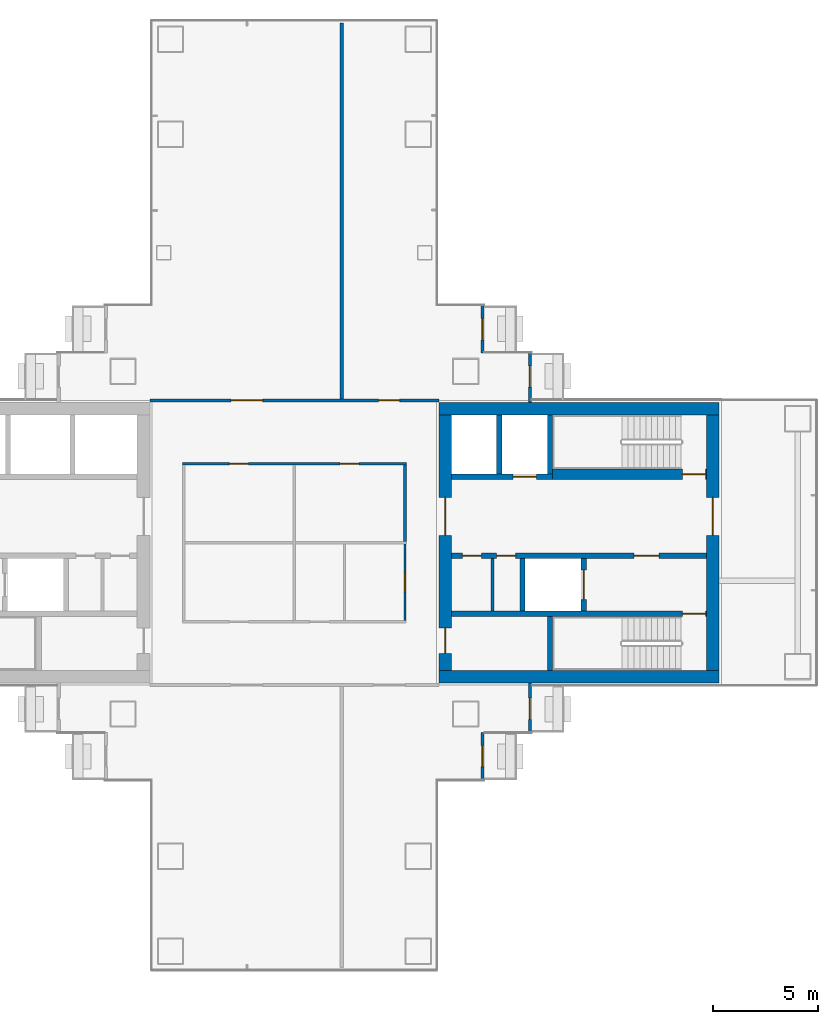
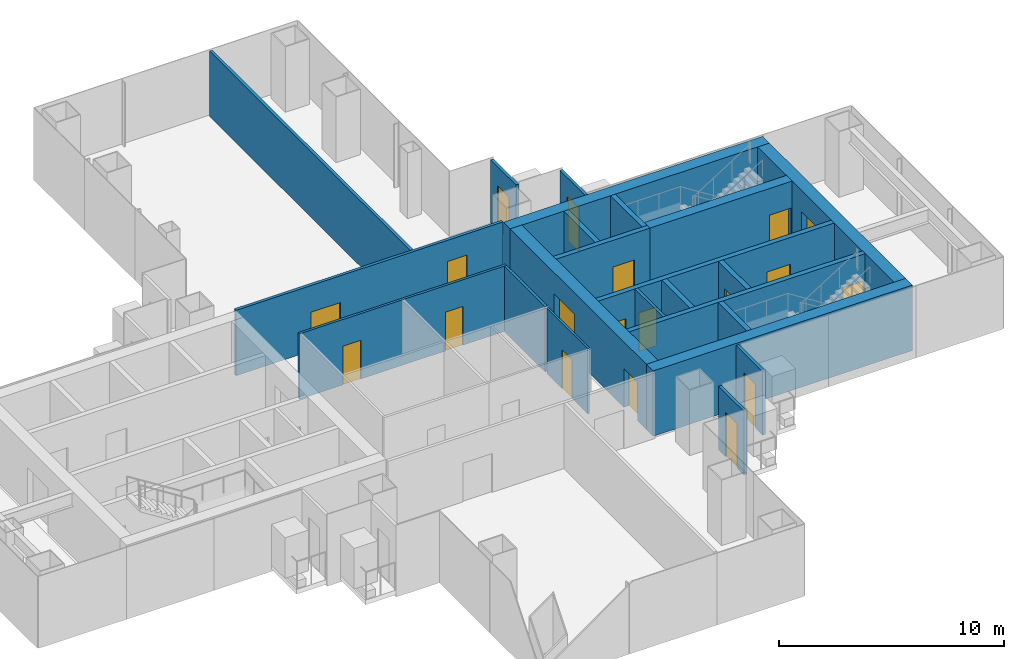
# One storey, part 14 of 19: 23 walls, 19 doors, 19 openings.
"""IFC4 building model written with IfcOpenShell, lengths in metres."""

from ifc_helpers import new_model, si_unit, direction, frame, frame_2d, origin, place, context, subcontext, project, spatial, rectangle, extrude, material, layer, layer_set, type_object, element, fill, save


model = new_model("IFC4")

# Units and contexts
model_context = context("Model", 3, precision=1e-05, world=origin(), true_north=direction((0.0, 1.0)))
body_context = subcontext(model_context, "Body", "Model", "MODEL_VIEW")
ifc_project = project(units=[si_unit("LENGTHUNIT", "METRE"), si_unit("AREAUNIT", "SQUARE_METRE"), si_unit("VOLUMEUNIT", "CUBIC_METRE"), si_unit("PLANEANGLEUNIT", "RADIAN"), si_unit("MASSUNIT", "GRAM", prefix="KILO")], contexts=[model_context])

# Site, building, storey
site_placement = place(None, origin())
site = spatial("IfcSite", under=ifc_project, at=site_placement, CompositionType="ELEMENT")
building_placement = place(site_placement, origin())
building = spatial("IfcBuilding", under=site, at=building_placement, Name="Shamsa Quay Exchange Towers", CompositionType="ELEMENT")
storey_placement = place(building_placement, frame((0.0, 0.0, 89.699951171875)))
storey = spatial("IfcBuildingStorey", under=building, at=storey_placement, Name="L20", CompositionType="ELEMENT", Elevation=89.699951171875)

# Wall, opening, door
ifc_material_1 = material(Name="Aluminium EN AW-6063 T6, black anodised, with black enamelled glass infill", Category="aluminium")
ifc_layer_1 = layer(ifc_material_1, 0.14990234375)
ifc_layer_set_1 = layer_set([ifc_layer_1], Name="BALCONY DOOR BAY WALL 150")
wall_type_1 = type_object("IfcWallType", Name="BALCONY DOOR BAY WALL 150", PredefinedType="SOLIDWALL", material=ifc_layer_set_1)
wall_1_placement = place(storey_placement, frame((42.675048828125, 11.25, 0.0), z_axis=(0.0, 0.0, 1.0), x_axis=(0.0, -1.0, 0.0)))
wall_1 = element("IfcWall", 1, at=wall_1_placement, inside=storey, type_object=wall_type_1, Name="Door bay T2-PKES L20", PredefinedType="SOLIDWALL", context=body_context, shape_type="SweptSolid", body=[
    extrude(rectangle(XDim=2.25, YDim=0.14990234375, at=frame_2d((1.125, 0.0))), origin(), (0.0, 0.0, 1.0), 3.449951171875),
])
opening_1_placement = place(wall_1_placement, frame((0.625, 0.0, 0.0)))
opening_1 = element("IfcOpeningElement", 2, at=opening_1_placement, cuts=wall_1, Name="Opening XD123", PredefinedType="OPENING", context=body_context, shape_type="SweptSolid", body=[
    extrude(rectangle(XDim=1.0, YDim=2.39990234375, at=frame_2d((0.5, 1.199951171875))), frame((0.0, 0.0849609375, 0.0), z_axis=(0.0, -1.0, 0.0), x_axis=(1.0, 0.0, 0.0)), (0.0, 0.0, 1.0), 0.169921875),
])
ifc_material_2 = material(Name="Aluminium EN AW-6063 T6, black anodised, with laminated glass leaf", Category="aluminium")
door_type_1 = type_object("IfcDoorType", Name="BALCONY DOOR 1000x2400", OperationType="SINGLE_SWING_LEFT", PredefinedType="DOOR", material=ifc_material_2)
door_1_placement = place(opening_1_placement, origin())
door_1 = element("IfcDoor", 3, at=door_1_placement, inside=storey, type_object=door_type_1, Name="Balcony door T2-PKES L20", OperationType="SINGLE_SWING_RIGHT", OverallHeight=2.39990234375, OverallWidth=1.0, PredefinedType="DOOR", context=body_context, shape_type="SweptSolid", body=[
    extrude(rectangle(XDim=1.0, YDim=2.39990234375, at=frame_2d((0.5, 1.199951171875))), frame((0.0, 0.02490234375, 0.0), z_axis=(0.0, -1.0, 0.0), x_axis=(1.0, 0.0, 0.0)), (0.0, 0.0, 1.0), 0.050048828125),
])
fill(opening_1, door_1)

wall_2_placement = place(storey_placement, frame((44.925048828125, 9.0, 0.0), z_axis=(0.0, 0.0, 1.0), x_axis=(0.0, -1.0, 0.0)))
wall_2 = element("IfcWall", 4, at=wall_2_placement, inside=storey, type_object=wall_type_1, Name="Door bay T2-PKES L20", PredefinedType="SOLIDWALL", context=body_context, shape_type="SweptSolid", body=[
    extrude(rectangle(XDim=2.35693359375, YDim=0.14990234375, at=frame_2d((1.178466796875, 0.0))), origin(), (0.0, 0.0, 1.0), 3.449951171875),
])
opening_2_placement = place(wall_2_placement, frame((0.625, 0.0, 0.0)))
opening_2 = element("IfcOpeningElement", 5, at=opening_2_placement, cuts=wall_2, Name="Opening XD124", PredefinedType="OPENING", context=body_context, shape_type="SweptSolid", body=[
    extrude(rectangle(XDim=1.0, YDim=2.39990234375, at=frame_2d((0.5, 1.199951171875))), frame((0.0, 0.0849609375, 0.0), z_axis=(0.0, -1.0, 0.0), x_axis=(1.0, 0.0, 0.0)), (0.0, 0.0, 1.0), 0.169921875),
])
door_2_placement = place(opening_2_placement, origin())
door_2 = element("IfcDoor", 6, at=door_2_placement, inside=storey, type_object=door_type_1, Name="Balcony door T2-PKES L20", OperationType="SINGLE_SWING_LEFT", OverallHeight=2.39990234375, OverallWidth=1.0, PredefinedType="DOOR", context=body_context, shape_type="SweptSolid", body=[
    extrude(rectangle(XDim=1.0, YDim=2.39990234375, at=frame_2d((0.5, 1.199951171875))), frame((0.0, 0.02490234375, 0.0), z_axis=(0.0, -1.0, 0.0), x_axis=(1.0, 0.0, 0.0)), (0.0, 0.0, 1.0), 0.050048828125),
])
fill(opening_2, door_2)

wall_3_placement = place(storey_placement, frame((42.675048828125, -9.0, 0.0), z_axis=(0.0, 0.0, 1.0), x_axis=(0.0, -1.0, 0.0)))
wall_3 = element("IfcWall", 7, at=wall_3_placement, inside=storey, type_object=wall_type_1, Name="Door bay T2-PKWS L20", PredefinedType="SOLIDWALL", context=body_context, shape_type="SweptSolid", body=[
    extrude(rectangle(XDim=2.25, YDim=0.14990234375, at=frame_2d((1.125, 0.0))), origin(), (0.0, 0.0, 1.0), 3.449951171875),
])
opening_3_placement = place(wall_3_placement, frame((0.625, 0.0, 0.0)))
opening_3 = element("IfcOpeningElement", 8, at=opening_3_placement, cuts=wall_3, Name="Opening XD127", PredefinedType="OPENING", context=body_context, shape_type="SweptSolid", body=[
    extrude(rectangle(XDim=1.0, YDim=2.39990234375, at=frame_2d((0.5, 1.199951171875))), frame((0.0, 0.0849609375, 0.0), z_axis=(0.0, -1.0, 0.0), x_axis=(1.0, 0.0, 0.0)), (0.0, 0.0, 1.0), 0.169921875),
])
door_3_placement = place(opening_3_placement, origin())
door_3 = element("IfcDoor", 9, at=door_3_placement, inside=storey, type_object=door_type_1, Name="Balcony door T2-PKWS L20", OperationType="SINGLE_SWING_LEFT", OverallHeight=2.39990234375, OverallWidth=1.0, PredefinedType="DOOR", context=body_context, shape_type="SweptSolid", body=[
    extrude(rectangle(XDim=1.0, YDim=2.39990234375, at=frame_2d((0.5, 1.199951171875))), frame((0.0, 0.02490234375, 0.0), z_axis=(0.0, -1.0, 0.0), x_axis=(1.0, 0.0, 0.0)), (0.0, 0.0, 1.0), 0.050048828125),
])
fill(opening_3, door_3)

wall_4_placement = place(storey_placement, frame((44.925048828125, -6.64306640625, 0.0), z_axis=(0.0, 0.0, 1.0), x_axis=(0.0, -1.0, 0.0)))
wall_4 = element("IfcWall", 10, at=wall_4_placement, inside=storey, type_object=wall_type_1, Name="Door bay T2-PKWS L20", PredefinedType="SOLIDWALL", context=body_context, shape_type="SweptSolid", body=[
    extrude(rectangle(XDim=2.35693359375, YDim=0.14990234375, at=frame_2d((1.178466796875, 0.0))), origin(), (0.0, 0.0, 1.0), 3.449951171875),
])
opening_4_placement = place(wall_4_placement, frame((0.73193359375, 0.0, 0.0)))
opening_4 = element("IfcOpeningElement", 11, at=opening_4_placement, cuts=wall_4, Name="Opening XD128", PredefinedType="OPENING", context=body_context, shape_type="SweptSolid", body=[
    extrude(rectangle(XDim=1.0, YDim=2.39990234375, at=frame_2d((0.5, 1.199951171875))), frame((0.0, 0.0849609375, 0.0), z_axis=(0.0, -1.0, 0.0), x_axis=(1.0, 0.0, 0.0)), (0.0, 0.0, 1.0), 0.169921875),
])
door_4_placement = place(opening_4_placement, origin())
door_4 = element("IfcDoor", 12, at=door_4_placement, inside=storey, type_object=door_type_1, Name="Balcony door T2-PKWS L20", OperationType="SINGLE_SWING_RIGHT", OverallHeight=2.39990234375, OverallWidth=1.0, PredefinedType="DOOR", context=body_context, shape_type="SweptSolid", body=[
    extrude(rectangle(XDim=1.0, YDim=2.39990234375, at=frame_2d((0.5, 1.199951171875))), frame((0.0, 0.02490234375, 0.0), z_axis=(0.0, -1.0, 0.0), x_axis=(1.0, 0.0, 0.0)), (0.0, 0.0, 1.0), 0.050048828125),
])
fill(opening_4, door_4)

# Walls
ifc_material_3 = material(Name="Concrete C70/85", Category="concrete")
ifc_layer_2 = layer(ifc_material_3, 0.60009765625)
ifc_layer_set_2 = layer_set([ifc_layer_2], Name="CORE WALL 600 C70/85")
wall_type_2 = type_object("IfcWallType", Name="CORE WALL 600 C70/85", PredefinedType="SHEAR", material=ifc_layer_set_2)
for number, where, z_axis, x_axis, name in (
    (13, (53.89990234375, -6.35009765625, 0.0), (0.0, 0.0, 1.0), (-1.0, 0.0, 0.0), "Core wall T2B-R09-PS"),
    (14, (53.89990234375, 6.35009765625, 0.0), (0.0, 0.0, 1.0), (-1.0, 0.0, 0.0), "Core wall T2B-R09-PN"),
):
    element("IfcWall", number, at=place(storey_placement, frame(where, z_axis=z_axis, x_axis=x_axis)), inside=storey, type_object=wall_type_2, Name=name, PredefinedType="SHEAR", context=body_context, shape_type="SweptSolid", body=[
        extrude(rectangle(XDim=13.2998046875, YDim=0.60009765625, at=frame_2d((6.64990234375, 0.0))), origin(), (0.0, 0.0, 1.0), 3.550048828125),
    ])

# Wall, opening, door
wall_5_placement = place(storey_placement, frame((53.60009765625, -6.050048828125, 0.0), z_axis=(0.0, 0.0, 1.0), x_axis=(0.0, 1.0, 0.0)))
wall_5 = element("IfcWall", 15, at=wall_5_placement, inside=storey, type_object=wall_type_2, Name="Core wall T2B-R09-PF", PredefinedType="SHEAR", context=body_context, shape_type="SweptSolid", body=[
    extrude(rectangle(XDim=12.10009765625, YDim=0.60009765625, at=frame_2d((6.050048828125, 0.0))), origin(), (0.0, 0.0, 1.0), 3.550048828125),
])
opening_5_placement = place(wall_5_placement, frame((6.39990234375, 0.0, 0.0)))
opening_5 = element("IfcOpeningElement", 16, at=opening_5_placement, cuts=wall_5, Name="Opening T2B-R09-LBD01", PredefinedType="OPENING", context=body_context, shape_type="SweptSolid", body=[
    extrude(rectangle(XDim=1.800048828125, YDim=2.39990234375, at=frame_2d((0.89990234375, 1.199951171875))), frame((0.0, 0.31005859375, 0.0), z_axis=(0.0, -1.0, 0.0), x_axis=(1.0, 0.0, 0.0)), (0.0, 0.0, 1.0), 0.6201171875),
])
ifc_material_4 = material(Name="Steel, fire rated", Category="steel")
door_type_2 = type_object("IfcDoorType", Name="LIFT LOBBY DOOR PAIR 1800", OperationType="DOUBLE_DOOR_SINGLE_SWING", PredefinedType="DOOR", material=ifc_material_4)
door_5_placement = place(opening_5_placement, origin())
door_5 = element("IfcDoor", 17, at=door_5_placement, inside=storey, type_object=door_type_2, Name="T2B-R09-LBD01", OperationType="DOUBLE_DOOR_SINGLE_SWING", OverallHeight=2.39990234375, OverallWidth=1.800048828125, PredefinedType="DOOR", context=body_context, shape_type="SweptSolid", body=[
    extrude(rectangle(XDim=1.800048828125, YDim=2.39990234375, at=frame_2d((0.89990234375, 1.199951171875))), frame((0.0, 0.02490234375, 0.0), z_axis=(0.0, -1.0, 0.0), x_axis=(1.0, 0.0, 0.0)), (0.0, 0.0, 1.0), 0.050048828125),
])
fill(opening_5, door_5)

# Wall, openings, doors
wall_6_placement = place(storey_placement, frame((40.89990234375, -6.050048828125, 0.0), z_axis=(0.0, 0.0, 1.0), x_axis=(0.0, 1.0, 0.0)))
wall_6 = element("IfcWall", 18, at=wall_6_placement, inside=storey, type_object=wall_type_2, Name="Core wall T2B-R09-PB", PredefinedType="SHEAR", context=body_context, shape_type="SweptSolid", body=[
    extrude(rectangle(XDim=12.10009765625, YDim=0.60009765625, at=frame_2d((6.050048828125, 0.0))), origin(), (0.0, 0.0, 1.0), 3.550048828125),
])
opening_6_placement = place(wall_6_placement, frame((0.800048828125, 0.0, 0.0)))
opening_6 = element("IfcOpeningElement", 19, at=opening_6_placement, cuts=wall_6, Name="Opening T2B-R09-RD02", PredefinedType="OPENING", context=body_context, shape_type="SweptSolid", body=[
    extrude(rectangle(XDim=1.199951171875, YDim=2.10009765625, at=frame_2d((0.60009765625, 1.050048828125))), frame((0.0, 0.31005859375, 0.0), z_axis=(0.0, -1.0, 0.0), x_axis=(1.0, 0.0, 0.0)), (0.0, 0.0, 1.0), 0.6201171875),
])
opening_7_placement = place(wall_6_placement, frame((6.39990234375, 0.0, 0.0)))
opening_7 = element("IfcOpeningElement", 20, at=opening_7_placement, cuts=wall_6, Name="Opening T2B-R09-LBD03", PredefinedType="OPENING", context=body_context, shape_type="SweptSolid", body=[
    extrude(rectangle(XDim=1.800048828125, YDim=2.39990234375, at=frame_2d((0.89990234375, 1.199951171875))), frame((0.0, 0.31005859375, 0.0), z_axis=(0.0, -1.0, 0.0), x_axis=(1.0, 0.0, 0.0)), (0.0, 0.0, 1.0), 0.6201171875),
])
door_6_placement = place(opening_7_placement, origin())
door_6 = element("IfcDoor", 21, at=door_6_placement, inside=storey, type_object=door_type_2, Name="T2B-R09-LBD03", OperationType="DOUBLE_DOOR_SINGLE_SWING", OverallHeight=2.39990234375, OverallWidth=1.800048828125, PredefinedType="DOOR", context=body_context, shape_type="SweptSolid", body=[
    extrude(rectangle(XDim=1.800048828125, YDim=2.39990234375, at=frame_2d((0.89990234375, 1.199951171875))), frame((0.0, 0.02490234375, 0.0), z_axis=(0.0, -1.0, 0.0), x_axis=(1.0, 0.0, 0.0)), (0.0, 0.0, 1.0), 0.050048828125),
])
fill(opening_7, door_6)
door_type_3 = type_object("IfcDoorType", Name="RISER ACCESS DOOR 1200", OperationType="SINGLE_SWING_LEFT", PredefinedType="DOOR", material=ifc_material_4)
door_7_placement = place(opening_6_placement, origin())
door_7 = element("IfcDoor", 22, at=door_7_placement, inside=storey, type_object=door_type_3, Name="T2B-R09-RD02", OperationType="SINGLE_SWING_LEFT", OverallHeight=2.10009765625, OverallWidth=1.199951171875, PredefinedType="DOOR", context=body_context, shape_type="SweptSolid", body=[
    extrude(rectangle(XDim=1.199951171875, YDim=2.10009765625, at=frame_2d((0.60009765625, 1.050048828125))), frame((0.0, 0.02490234375, 0.0), z_axis=(0.0, -1.0, 0.0), x_axis=(1.0, 0.0, 0.0)), (0.0, 0.0, 1.0), 0.050048828125),
])
fill(opening_6, door_7)

# Wall
ifc_material_5 = material(Name="Gypsum board on steel studs, EI 60", Category="steel")
ifc_layer_3 = layer(ifc_material_5, 0.14990234375)
ifc_layer_set_3 = layer_set([ifc_layer_3], Name="FIRE PARTITION 150")
wall_type_3 = type_object("IfcWallType", Name="FIRE PARTITION 150", PredefinedType="PARTITIONING", material=ifc_layer_set_3)
wall_7_placement = place(storey_placement, frame((43.14990234375, -3.25, 0.0), z_axis=(0.0, 0.0, 1.0), x_axis=(0.0, 1.0, 0.0)))
element("IfcWall", 23, at=wall_7_placement, inside=storey, type_object=wall_type_3, Name="Partition T2B-R09-EC0", PredefinedType="PARTITIONING", context=body_context, shape_type="SweptSolid", body=[
    extrude(rectangle(XDim=2.5, YDim=0.14990234375, at=frame_2d((1.25, 0.0))), origin(), (0.0, 0.0, 1.0), 3.550048828125),
])

# Wall, openings, doors
ifc_material_6 = material(Name="Laminated fire-resisting glass in a metal frame", Category="glass")
ifc_layer_4 = layer(ifc_material_6, 0.125)
ifc_layer_set_4 = layer_set([ifc_layer_4], Name="Glazed partition 125 mm EI 60")
wall_type_4 = type_object("IfcWallType", Name="Glazed partition 125 mm EI 60", PredefinedType="PARTITIONING", material=ifc_layer_set_4)
wall_8_placement = place(storey_placement, frame((39.0625, 3.75, 0.0), z_axis=(0.0, 0.0, 1.0), x_axis=(-1.0, 0.0, 0.0)))
wall_8 = element("IfcWall", 24, at=wall_8_placement, inside=storey, type_object=wall_type_4, Name="Partition T2-R09-W02", PredefinedType="PARTITIONING", context=body_context, shape_type="SweptSolid", body=[
    extrude(rectangle(XDim=10.625, YDim=0.125, at=frame_2d((5.3125, 0.0))), origin(), (0.0, 0.0, 1.0), 3.550048828125),
])
opening_8_placement = place(wall_8_placement, frame((7.487548828125, 0.0, 0.0)))
opening_8 = element("IfcOpeningElement", 25, at=opening_8_placement, cuts=wall_8, Name="Opening T2-R09-D06", PredefinedType="OPENING", context=body_context, shape_type="SweptSolid", body=[
    extrude(rectangle(XDim=0.89990234375, YDim=2.10009765625, at=frame_2d((0.449951171875, 1.050048828125))), frame((0.0, 0.072509765625, 0.0), z_axis=(0.0, -1.0, 0.0), x_axis=(1.0, 0.0, 0.0)), (0.0, 0.0, 1.0), 0.14501953125),
])
opening_9_placement = place(wall_8_placement, frame((2.237548828125, 0.0, 0.0)))
opening_9 = element("IfcOpeningElement", 26, at=opening_9_placement, cuts=wall_8, Name="Opening T2-R09-D07", PredefinedType="OPENING", context=body_context, shape_type="SweptSolid", body=[
    extrude(rectangle(XDim=0.89990234375, YDim=2.10009765625, at=frame_2d((0.449951171875, 1.050048828125))), frame((0.0, 0.072509765625, 0.0), z_axis=(0.0, -1.0, 0.0), x_axis=(1.0, 0.0, 0.0)), (0.0, 0.0, 1.0), 0.14501953125),
])
ifc_material_7 = material(Name="Timber door leaf in a metal frame", Category="wood")
door_type_4 = type_object("IfcDoorType", Name="Door 900x2100 FD30S", OperationType="NOTDEFINED", PredefinedType="DOOR", material=ifc_material_7)
door_8_placement = place(opening_8_placement, origin())
door_8 = element("IfcDoor", 27, at=door_8_placement, inside=storey, type_object=door_type_4, Name="Door T2-R09-D06", OperationType="SINGLE_SWING_LEFT", OverallHeight=2.10009765625, OverallWidth=0.89990234375, PredefinedType="DOOR", context=body_context, shape_type="SweptSolid", body=[
    extrude(rectangle(XDim=0.89990234375, YDim=2.10009765625, at=frame_2d((0.449951171875, 1.050048828125))), frame((0.0, 0.02490234375, 0.0), z_axis=(0.0, -1.0, 0.0), x_axis=(1.0, 0.0, 0.0)), (0.0, 0.0, 1.0), 0.050048828125),
])
fill(opening_8, door_8)
door_9_placement = place(opening_9_placement, origin())
door_9 = element("IfcDoor", 28, at=door_9_placement, inside=storey, type_object=door_type_4, Name="Door T2-R09-D07", OperationType="SINGLE_SWING_RIGHT", OverallHeight=2.10009765625, OverallWidth=0.89990234375, PredefinedType="DOOR", context=body_context, shape_type="SweptSolid", body=[
    extrude(rectangle(XDim=0.89990234375, YDim=2.10009765625, at=frame_2d((0.449951171875, 1.050048828125))), frame((0.0, 0.02490234375, 0.0), z_axis=(0.0, -1.0, 0.0), x_axis=(1.0, 0.0, 0.0)), (0.0, 0.0, 1.0), 0.050048828125),
])
fill(opening_9, door_9)

# Wall
wall_9_placement = place(storey_placement, frame((39.0, 0.0625, 0.0), z_axis=(0.0, 0.0, 1.0), x_axis=(0.0, 1.0, 0.0)))
element("IfcWall", 29, at=wall_9_placement, inside=storey, type_object=wall_type_4, Name="Partition T2-R09-W04", PredefinedType="PARTITIONING", context=body_context, shape_type="SweptSolid", body=[
    extrude(rectangle(XDim=3.625, YDim=0.125, at=frame_2d((1.8125, 0.0))), origin(), (0.0, 0.0, 1.0), 3.550048828125),
])

# Wall, opening, door
ifc_material_8 = material(Name="Gypsum board partition on metal studs")
ifc_layer_5 = layer(ifc_material_8, 0.10009765625)
ifc_layer_set_5 = layer_set([ifc_layer_5], Name="Partition 100 mm NOT RATED")
wall_type_5 = type_object("IfcWallType", Name="Partition 100 mm NOT RATED", PredefinedType="PARTITIONING", material=ifc_layer_set_5)
wall_10_placement = place(storey_placement, frame((39.0, -3.699951171875, 0.0), z_axis=(0.0, 0.0, 1.0), x_axis=(0.0, 1.0, 0.0)))
wall_10 = element("IfcWall", 30, at=wall_10_placement, inside=storey, type_object=wall_type_5, Name="Partition T2-R09-W05", PredefinedType="PARTITIONING", context=body_context, shape_type="SweptSolid", body=[
    extrude(rectangle(XDim=3.637451171875, YDim=0.10009765625, at=frame_2d((1.81884765625, 0.0))), origin(), (0.0, 0.0, 1.0), 3.550048828125),
])
opening_10_placement = place(wall_10_placement, frame((1.375, 0.0, 0.0)))
opening_10 = element("IfcOpeningElement", 31, at=opening_10_placement, cuts=wall_10, Name="Opening T2-R09-D04", PredefinedType="OPENING", context=body_context, shape_type="SweptSolid", body=[
    extrude(rectangle(XDim=0.89990234375, YDim=2.10009765625, at=frame_2d((0.449951171875, 1.050048828125))), frame((0.0, 0.06005859375, 0.0), z_axis=(0.0, -1.0, 0.0), x_axis=(1.0, 0.0, 0.0)), (0.0, 0.0, 1.0), 0.1201171875),
])
door_type_5 = type_object("IfcDoorType", Name="Door 900x2100 NOT RATED", OperationType="NOTDEFINED", PredefinedType="DOOR", material=ifc_material_7)
door_10_placement = place(opening_10_placement, origin())
door_10 = element("IfcDoor", 32, at=door_10_placement, inside=storey, type_object=door_type_5, Name="Door T2-R09-D04", OperationType="SINGLE_SWING_RIGHT", OverallHeight=2.10009765625, OverallWidth=0.89990234375, PredefinedType="DOOR", context=body_context, shape_type="SweptSolid", body=[
    extrude(rectangle(XDim=0.89990234375, YDim=2.10009765625, at=frame_2d((0.449951171875, 1.050048828125))), frame((0.0, 0.02490234375, 0.0), z_axis=(0.0, -1.0, 0.0), x_axis=(1.0, 0.0, 0.0)), (0.0, 0.0, 1.0), 0.050048828125),
])
fill(opening_10, door_10)

# Wall, openings, doors
ifc_layer_6 = layer(ifc_material_8, 0.14990234375)
ifc_layer_set_6 = layer_set([ifc_layer_6], Name="Partition 150 mm EI 60")
wall_type_6 = type_object("IfcWallType", Name="Partition 150 mm EI 60", PredefinedType="PARTITIONING", material=ifc_layer_set_6)
wall_11_placement = place(storey_placement, frame((26.89990234375, 6.75, 0.0)))
wall_11 = element("IfcWall", 33, at=wall_11_placement, inside=storey, type_object=wall_type_6, Name="Partition T2-R09-W07", PredefinedType="PARTITIONING", context=body_context, shape_type="SweptSolid", body=[
    extrude(rectangle(XDim=13.7001953125, YDim=0.14990234375, at=frame_2d((6.85009765625, 0.0))), origin(), (0.0, 0.0, 1.0), 3.550048828125),
])
opening_11_placement = place(wall_11_placement, frame((10.85009765625, 0.0, 0.0)))
opening_11 = element("IfcOpeningElement", 34, at=opening_11_placement, cuts=wall_11, Name="Opening T2-R09-D01", PredefinedType="OPENING", context=body_context, shape_type="SweptSolid", body=[
    extrude(rectangle(XDim=1.0, YDim=2.39990234375, at=frame_2d((0.5, 1.199951171875))), frame((0.0, 0.0849609375, 0.0), z_axis=(0.0, -1.0, 0.0), x_axis=(1.0, 0.0, 0.0)), (0.0, 0.0, 1.0), 0.169921875),
])
opening_12_placement = place(wall_11_placement, frame((3.85009765625, 0.0, 0.0)))
opening_12 = element("IfcOpeningElement", 35, at=opening_12_placement, cuts=wall_11, Name="Opening T2-R09-D02", PredefinedType="OPENING", context=body_context, shape_type="SweptSolid", body=[
    extrude(rectangle(XDim=1.5, YDim=2.10009765625, at=frame_2d((0.75, 1.050048828125))), frame((0.0, 0.0849609375, 0.0), z_axis=(0.0, -1.0, 0.0), x_axis=(1.0, 0.0, 0.0)), (0.0, 0.0, 1.0), 0.169921875),
])
door_type_6 = type_object("IfcDoorType", Name="Door 1000x2400 FD30S", OperationType="NOTDEFINED", PredefinedType="DOOR", material=ifc_material_7)
door_11_placement = place(opening_11_placement, origin())
door_11 = element("IfcDoor", 36, at=door_11_placement, inside=storey, type_object=door_type_6, Name="Door T2-R09-D01", OperationType="SINGLE_SWING_LEFT", OverallHeight=2.39990234375, OverallWidth=1.0, PredefinedType="DOOR", context=body_context, shape_type="SweptSolid", body=[
    extrude(rectangle(XDim=1.0, YDim=2.39990234375, at=frame_2d((0.5, 1.199951171875))), frame((0.0, 0.02490234375, 0.0), z_axis=(0.0, -1.0, 0.0), x_axis=(1.0, 0.0, 0.0)), (0.0, 0.0, 1.0), 0.050048828125),
])
fill(opening_11, door_11)
door_type_7 = type_object("IfcDoorType", Name="Door 1500x2100 FD30S pair", OperationType="NOTDEFINED", PredefinedType="DOOR", material=ifc_material_7)
door_12_placement = place(opening_12_placement, origin())
door_12 = element("IfcDoor", 37, at=door_12_placement, inside=storey, type_object=door_type_7, Name="Door T2-R09-D02", OperationType="DOUBLE_DOOR_SINGLE_SWING", OverallHeight=2.10009765625, OverallWidth=1.5, PredefinedType="DOOR", context=body_context, shape_type="SweptSolid", body=[
    extrude(rectangle(XDim=1.5, YDim=2.10009765625, at=frame_2d((0.75, 1.050048828125))), frame((0.0, 0.02490234375, 0.0), z_axis=(0.0, -1.0, 0.0), x_axis=(1.0, 0.0, 0.0)), (0.0, 0.0, 1.0), 0.050048828125),
])
fill(opening_12, door_12)

# Wall
wall_12_placement = place(storey_placement, frame((36.0, 24.655029296875, 0.0), z_axis=(0.0, 0.0, 1.0), x_axis=(0.0, -1.0, 0.0)))
element("IfcWall", 38, at=wall_12_placement, inside=storey, type_object=wall_type_6, Name="Partition T2-R09-W13", PredefinedType="PARTITIONING", context=body_context, shape_type="SweptSolid", body=[
    extrude(rectangle(XDim=17.830078125, YDim=0.14990234375, at=frame_2d((8.9150390625, 0.0))), origin(), (0.0, 0.0, 1.0), 3.550048828125),
])

# Wall, opening, door
ifc_material_9 = material(Name="Concrete C50/60", Category="concrete")
ifc_layer_7 = layer(ifc_material_9, 0.25)
ifc_layer_set_7 = layer_set([ifc_layer_7], Name="SHAFT WALL 250 C50/60")
wall_type_7 = type_object("IfcWallType", Name="SHAFT WALL 250 C50/60", PredefinedType="SHEAR", material=ifc_layer_set_7)
wall_13_placement = place(storey_placement, frame((53.300048828125, -3.375, 0.0), z_axis=(0.0, 0.0, 1.0), x_axis=(-1.0, 0.0, 0.0)))
wall_13 = element("IfcWall", 39, at=wall_13_placement, inside=storey, type_object=wall_type_7, Name="Shaft wall T2B-R09-STL", PredefinedType="SHEAR", context=body_context, shape_type="SweptSolid", body=[
    extrude(rectangle(XDim=12.10009765625, YDim=0.25, at=frame_2d((6.050048828125, 0.0))), origin(), (0.0, 0.0, 1.0), 3.550048828125),
])
opening_13_placement = place(wall_13_placement, frame((0.050048828125, 0.0, 0.0)))
opening_13 = element("IfcOpeningElement", 40, at=opening_13_placement, cuts=wall_13, Name="Opening T2B-R09-SD04", PredefinedType="OPENING", context=body_context, shape_type="SweptSolid", body=[
    extrude(rectangle(XDim=1.10009765625, YDim=2.10009765625, at=frame_2d((0.550048828125, 1.050048828125))), frame((0.0, 0.135009765625, 0.0), z_axis=(0.0, -1.0, 0.0), x_axis=(1.0, 0.0, 0.0)), (0.0, 0.0, 1.0), 0.27001953125),
])
door_type_8 = type_object("IfcDoorType", Name="STAIR DOOR 1100", OperationType="SINGLE_SWING_LEFT", PredefinedType="DOOR", material=ifc_material_4)
door_13_placement = place(opening_13_placement, origin())
door_13 = element("IfcDoor", 41, at=door_13_placement, inside=storey, type_object=door_type_8, Name="T2B-R09-SD04", OperationType="SINGLE_SWING_LEFT", OverallHeight=2.10009765625, OverallWidth=1.10009765625, PredefinedType="DOOR", context=body_context, shape_type="SweptSolid", body=[
    extrude(rectangle(XDim=1.10009765625, YDim=2.10009765625, at=frame_2d((0.550048828125, 1.050048828125))), frame((0.0, 0.02490234375, 0.0), z_axis=(0.0, -1.0, 0.0), x_axis=(1.0, 0.0, 0.0)), (0.0, 0.0, 1.0), 0.050048828125),
])
fill(opening_13, door_13)

# Wall
wall_14_placement = place(storey_placement, frame((45.875, -6.050048828125, 0.0), z_axis=(0.0, 0.0, 1.0), x_axis=(0.0, 1.0, 0.0)))
element("IfcWall", 42, at=wall_14_placement, inside=storey, type_object=wall_type_7, Name="Shaft wall T2B-R09-STF", PredefinedType="SHEAR", context=body_context, shape_type="SweptSolid", body=[
    extrude(rectangle(XDim=2.550048828125, YDim=0.25, at=frame_2d((1.27490234375, 0.0))), origin(), (0.0, 0.0, 1.0), 3.550048828125),
])

# Wall, openings, doors
wall_15_placement = place(storey_placement, frame((53.300048828125, -0.625, 0.0), z_axis=(0.0, 0.0, 1.0), x_axis=(-1.0, 0.0, 0.0)))
wall_15 = element("IfcWall", 43, at=wall_15_placement, inside=storey, type_object=wall_type_7, Name="Shaft wall T2B-R09-B", PredefinedType="SHEAR", context=body_context, shape_type="SweptSolid", body=[
    extrude(rectangle(XDim=12.10009765625, YDim=0.25, at=frame_2d((6.050048828125, 0.0))), origin(), (0.0, 0.0, 1.0), 3.550048828125),
])
opening_14_placement = place(wall_15_placement, frame((2.25, 0.0, 0.0)))
opening_14 = element("IfcOpeningElement", 44, at=opening_14_placement, cuts=wall_15, Name="Opening T2B-R09-FD05", PredefinedType="OPENING", context=body_context, shape_type="SweptSolid", body=[
    extrude(rectangle(XDim=1.199951171875, YDim=2.10009765625, at=frame_2d((0.60009765625, 1.050048828125))), frame((0.0, 0.135009765625, 0.0), z_axis=(0.0, -1.0, 0.0), x_axis=(1.0, 0.0, 0.0)), (0.0, 0.0, 1.0), 0.27001953125),
])
opening_15_placement = place(wall_15_placement, frame((9.050048828125, 0.0, 0.0)))
opening_15 = element("IfcOpeningElement", 45, at=opening_15_placement, cuts=wall_15, Name="Opening T2B-R09-SV06", PredefinedType="OPENING", context=body_context, shape_type="SweptSolid", body=[
    extrude(rectangle(XDim=0.89990234375, YDim=2.10009765625, at=frame_2d((0.449951171875, 1.050048828125))), frame((0.0, 0.135009765625, 0.0), z_axis=(0.0, -1.0, 0.0), x_axis=(1.0, 0.0, 0.0)), (0.0, 0.0, 1.0), 0.27001953125),
])
opening_16_placement = place(wall_15_placement, frame((10.675048828125, 0.0, 0.0)))
opening_16 = element("IfcOpeningElement", 46, at=opening_16_placement, cuts=wall_15, Name="Opening T2B-R09-SV07", PredefinedType="OPENING", context=body_context, shape_type="SweptSolid", body=[
    extrude(rectangle(XDim=0.89990234375, YDim=2.10009765625, at=frame_2d((0.449951171875, 1.050048828125))), frame((0.0, 0.135009765625, 0.0), z_axis=(0.0, -1.0, 0.0), x_axis=(1.0, 0.0, 0.0)), (0.0, 0.0, 1.0), 0.27001953125),
])
door_type_9 = type_object("IfcDoorType", Name="FIRE SERVICE LOBBY DOOR 1200", OperationType="SINGLE_SWING_LEFT", PredefinedType="DOOR", material=ifc_material_4)
door_14_placement = place(opening_14_placement, origin())
door_14 = element("IfcDoor", 47, at=door_14_placement, inside=storey, type_object=door_type_9, Name="T2B-R09-FD05", OperationType="SINGLE_SWING_LEFT", OverallHeight=2.10009765625, OverallWidth=1.199951171875, PredefinedType="DOOR", context=body_context, shape_type="SweptSolid", body=[
    extrude(rectangle(XDim=1.199951171875, YDim=2.10009765625, at=frame_2d((0.60009765625, 1.050048828125))), frame((0.0, 0.02490234375, 0.0), z_axis=(0.0, -1.0, 0.0), x_axis=(1.0, 0.0, 0.0)), (0.0, 0.0, 1.0), 0.050048828125),
])
fill(opening_14, door_14)
door_type_10 = type_object("IfcDoorType", Name="SERVICE ROOM DOOR 900", OperationType="SINGLE_SWING_LEFT", PredefinedType="DOOR", material=ifc_material_4)
door_15_placement = place(opening_15_placement, origin())
door_15 = element("IfcDoor", 48, at=door_15_placement, inside=storey, type_object=door_type_10, Name="T2B-R09-SV06", OperationType="SINGLE_SWING_RIGHT", OverallHeight=2.10009765625, OverallWidth=0.89990234375, PredefinedType="DOOR", context=body_context, shape_type="SweptSolid", body=[
    extrude(rectangle(XDim=0.89990234375, YDim=2.10009765625, at=frame_2d((0.449951171875, 1.050048828125))), frame((0.0, 0.02490234375, 0.0), z_axis=(0.0, -1.0, 0.0), x_axis=(1.0, 0.0, 0.0)), (0.0, 0.0, 1.0), 0.050048828125),
])
fill(opening_15, door_15)
door_16_placement = place(opening_16_placement, origin())
door_16 = element("IfcDoor", 49, at=door_16_placement, inside=storey, type_object=door_type_10, Name="T2B-R09-SV07", OperationType="SINGLE_SWING_RIGHT", OverallHeight=2.10009765625, OverallWidth=0.89990234375, PredefinedType="DOOR", context=body_context, shape_type="SweptSolid", body=[
    extrude(rectangle(XDim=0.89990234375, YDim=2.10009765625, at=frame_2d((0.449951171875, 1.050048828125))), frame((0.0, 0.02490234375, 0.0), z_axis=(0.0, -1.0, 0.0), x_axis=(1.0, 0.0, 0.0)), (0.0, 0.0, 1.0), 0.050048828125),
])
fill(opening_16, door_16)

# Wall, opening, door
wall_16_placement = place(storey_placement, frame((47.47509765625, -3.25, 0.0), z_axis=(0.0, 0.0, 1.0), x_axis=(0.0, 1.0, 0.0)))
wall_16 = element("IfcWall", 50, at=wall_16_placement, inside=storey, type_object=wall_type_7, Name="Shaft wall T2B-R09-FFF", PredefinedType="SHEAR", context=body_context, shape_type="SweptSolid", body=[
    extrude(rectangle(XDim=2.5, YDim=0.25, at=frame_2d((1.25, 0.0))), origin(), (0.0, 0.0, 1.0), 3.550048828125),
])
opening_17_placement = place(wall_16_placement, frame((0.550048828125, 0.0, 0.0)))
opening_17 = element("IfcOpeningElement", 51, at=opening_17_placement, cuts=wall_16, Name="Opening T2B-R09-LDG08", PredefinedType="OPENING", context=body_context, shape_type="SweptSolid", body=[
    extrude(rectangle(XDim=1.39990234375, YDim=2.39990234375, at=frame_2d((0.699951171875, 1.199951171875))), frame((0.0, 0.135009765625, 0.0), z_axis=(0.0, -1.0, 0.0), x_axis=(1.0, 0.0, 0.0)), (0.0, 0.0, 1.0), 0.27001953125),
])
door_type_11 = type_object("IfcDoorType", Name="GOODS LIFT LANDING DOOR 1400", OperationType="SLIDING_TO_LEFT", PredefinedType="DOOR", material=ifc_material_4)
door_17_placement = place(opening_17_placement, origin())
door_17 = element("IfcDoor", 52, at=door_17_placement, inside=storey, type_object=door_type_11, Name="T2B-R09-LDG08", OperationType="SLIDING_TO_LEFT", OverallHeight=2.39990234375, OverallWidth=1.39990234375, PredefinedType="DOOR", context=body_context, shape_type="SweptSolid", body=[
    extrude(rectangle(XDim=1.39990234375, YDim=2.39990234375, at=frame_2d((0.699951171875, 1.199951171875))), frame((0.0, 0.02490234375, 0.0), z_axis=(0.0, -1.0, 0.0), x_axis=(1.0, 0.0, 0.0)), (0.0, 0.0, 1.0), 0.050048828125),
])
fill(opening_17, door_17)

# Wall
wall_17_placement = place(storey_placement, frame((44.574951171875, -3.25, 0.0), z_axis=(0.0, 0.0, 1.0), x_axis=(0.0, 1.0, 0.0)))
element("IfcWall", 53, at=wall_17_placement, inside=storey, type_object=wall_type_7, Name="Shaft wall T2B-R09-FFB", PredefinedType="SHEAR", context=body_context, shape_type="SweptSolid", body=[
    extrude(rectangle(XDim=2.5, YDim=0.25, at=frame_2d((1.25, 0.0))), origin(), (0.0, 0.0, 1.0), 3.550048828125),
])

# Wall, opening, door
wall_18_placement = place(storey_placement, frame((46.0, 3.125, 0.0), z_axis=(0.0, 0.0, 1.0), x_axis=(-1.0, 0.0, 0.0)))
wall_18 = element("IfcWall", 54, at=wall_18_placement, inside=storey, type_object=wall_type_7, Name="Shaft wall T2B-R09-N2", PredefinedType="SHEAR", context=body_context, shape_type="SweptSolid", body=[
    extrude(rectangle(XDim=4.800048828125, YDim=0.25, at=frame_2d((2.39990234375, 0.0))), origin(), (0.0, 0.0, 1.0), 3.550048828125),
])
opening_18_placement = place(wall_18_placement, frame((0.77490234375, 0.0, 0.0)))
opening_18 = element("IfcOpeningElement", 55, at=opening_18_placement, cuts=wall_18, Name="Opening T2B-R09-LD10", PredefinedType="OPENING", context=body_context, shape_type="SweptSolid", body=[
    extrude(rectangle(XDim=1.10009765625, YDim=2.10009765625, at=frame_2d((0.550048828125, 1.050048828125))), frame((0.0, 0.135009765625, 0.0), z_axis=(0.0, -1.0, 0.0), x_axis=(1.0, 0.0, 0.0)), (0.0, 0.0, 1.0), 0.27001953125),
])
door_type_12 = type_object("IfcDoorType", Name="LANDING DOOR 1100", OperationType="SLIDING_TO_LEFT", PredefinedType="DOOR", material=ifc_material_4)
door_18_placement = place(opening_18_placement, origin())
door_18 = element("IfcDoor", 56, at=door_18_placement, inside=storey, type_object=door_type_12, Name="T2B-R09-LD10", OperationType="SLIDING_TO_LEFT", OverallHeight=2.10009765625, OverallWidth=1.10009765625, PredefinedType="DOOR", context=body_context, shape_type="SweptSolid", body=[
    extrude(rectangle(XDim=1.10009765625, YDim=2.10009765625, at=frame_2d((0.550048828125, 1.050048828125))), frame((0.0, 0.02490234375, 0.0), z_axis=(0.0, -1.0, 0.0), x_axis=(1.0, 0.0, 0.0)), (0.0, 0.0, 1.0), 0.050048828125),
])
fill(opening_18, door_18)

# Walls
for number, where, z_axis, x_axis, name in (
    (57, (45.875, 3.25, 0.0), (0.0, 0.0, 1.0), (0.0, 1.0, 0.0), "Shaft wall T2B-R09-STF2"),
    (58, (43.47509765625, 3.25, 0.0), (0.0, 0.0, 1.0), (0.0, 1.0, 0.0), "Shaft wall T2B-R09-D0"),
):
    element("IfcWall", number, at=place(storey_placement, frame(where, z_axis=z_axis, x_axis=x_axis)), inside=storey, type_object=wall_type_7, Name=name, PredefinedType="SHEAR", context=body_context, shape_type="SweptSolid", body=[
        extrude(rectangle(XDim=2.800048828125, YDim=0.25, at=frame_2d((1.39990234375, 0.0))), origin(), (0.0, 0.0, 1.0), 3.550048828125),
    ])

# Wall, opening, door
ifc_layer_8 = layer(ifc_material_9, 0.5)
ifc_layer_set_8 = layer_set([ifc_layer_8], Name="SHAFT WALL 500 C50/60")
wall_type_8 = type_object("IfcWallType", Name="SHAFT WALL 500 C50/60", PredefinedType="SHEAR", material=ifc_layer_set_8)
wall_19_placement = place(storey_placement, frame((46.0, 3.25, 0.0)))
wall_19 = element("IfcWall", 59, at=wall_19_placement, inside=storey, type_object=wall_type_8, Name="Shaft wall T2B-R09-N", PredefinedType="SHEAR", context=body_context, shape_type="SweptSolid", body=[
    extrude(rectangle(XDim=7.300048828125, YDim=0.5, at=frame_2d((3.64990234375, 0.0))), origin(), (0.0, 0.0, 1.0), 3.550048828125),
])
opening_19_placement = place(wall_19_placement, frame((6.14990234375, 0.0, 0.0)))
opening_19 = element("IfcOpeningElement", 60, at=opening_19_placement, cuts=wall_19, Name="Opening T2B-R09-SD09", PredefinedType="OPENING", context=body_context, shape_type="SweptSolid", body=[
    extrude(rectangle(XDim=1.10009765625, YDim=2.10009765625, at=frame_2d((0.550048828125, 1.050048828125))), frame((0.0, 0.260009765625, 0.0), z_axis=(0.0, -1.0, 0.0), x_axis=(1.0, 0.0, 0.0)), (0.0, 0.0, 1.0), 0.52001953125),
])
door_19_placement = place(opening_19_placement, origin())
door_19 = element("IfcDoor", 61, at=door_19_placement, inside=storey, type_object=door_type_8, Name="T2B-R09-SD09", OperationType="SINGLE_SWING_RIGHT", OverallHeight=2.10009765625, OverallWidth=1.10009765625, PredefinedType="DOOR", context=body_context, shape_type="SweptSolid", body=[
    extrude(rectangle(XDim=1.10009765625, YDim=2.10009765625, at=frame_2d((0.550048828125, 1.050048828125))), frame((0.0, 0.02490234375, 0.0), z_axis=(0.0, -1.0, 0.0), x_axis=(1.0, 0.0, 0.0)), (0.0, 0.0, 1.0), 0.050048828125),
])
fill(opening_19, door_19)

save(model, "model.ifc")
